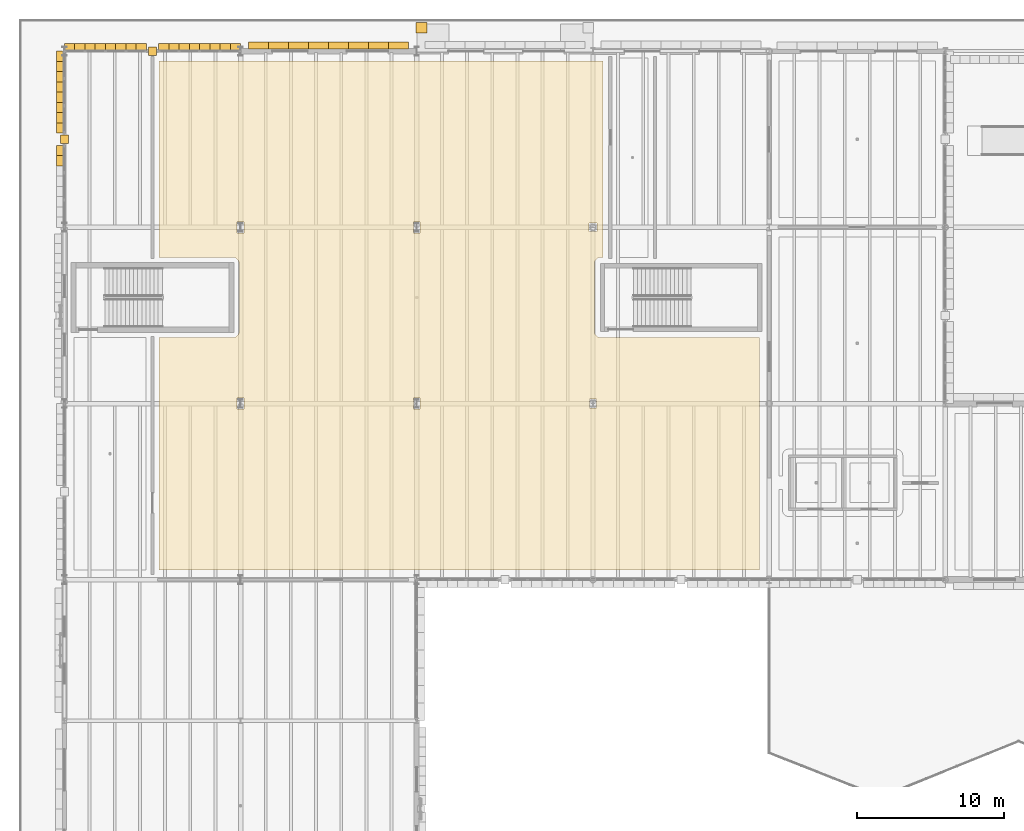
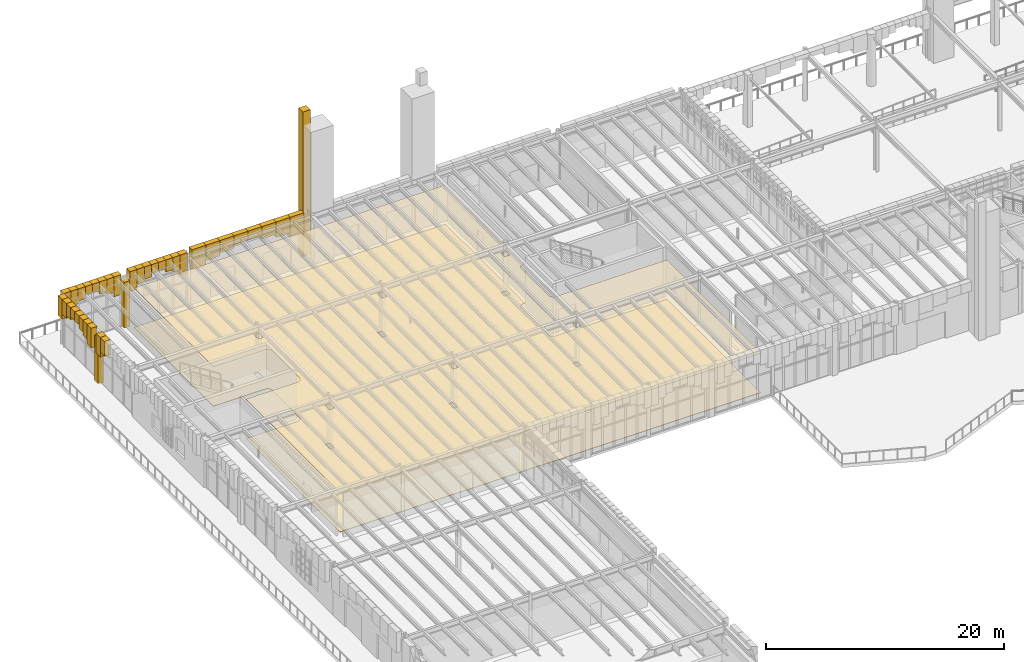
# One storey, part 80 of 103: 39 coverings.
"""IFC4 building model written with IfcOpenShell, lengths in metres."""

from ifc_helpers import new_model, si_unit, direction, frame, origin, place, context, subcontext, project, spatial, polyline, outline, extrude, material, layer, layer_set, type_object, element, save


model = new_model("IFC4")

# Units and contexts
model_context = context("Model", 3, precision=1e-05, world=origin(), true_north=direction((0.0, 1.0)))
body_context = subcontext(model_context, "Body", "Model", "MODEL_VIEW")
ifc_project = project(units=[si_unit("LENGTHUNIT", "METRE"), si_unit("AREAUNIT", "SQUARE_METRE"), si_unit("VOLUMEUNIT", "CUBIC_METRE"), si_unit("PLANEANGLEUNIT", "RADIAN"), si_unit("MASSUNIT", "GRAM", prefix="KILO")], contexts=[model_context])

# Site, building, storey
site_placement = place(None, origin())
site = spatial("IfcSite", under=ifc_project, at=site_placement, CompositionType="ELEMENT")
building_placement = place(site_placement, origin())
building = spatial("IfcBuilding", under=site, at=building_placement, Name="Zlatogorsky Bluff Art Gallery", CompositionType="ELEMENT")
storey_placement = place(building_placement, origin())
storey = spatial("IfcBuildingStorey", under=building, at=storey_placement, Name="L00", CompositionType="ELEMENT", Elevation=0.0)

# Coverings
ifc_material_1 = material(Name="Perforated Gypsum Acoustic Board", Category="gypsum")
ifc_layer_1 = layer(ifc_material_1, 0.0400390625)
ifc_layer_set_1 = layer_set([ifc_layer_1], Name="Acoustic Gallery Ceiling CLG-01")
covering_type_1 = type_object("IfcCoveringType", Name="Acoustic Gallery Ceiling CLG-01", PredefinedType="CEILING", material=ifc_layer_set_1)
covering_1_placement = place(storey_placement, frame((0.0, 0.0, 4.050048828125)))
element("IfcCovering", 1, at=covering_1_placement, inside=storey, type_object=covering_type_1, Name="Grand Glazed Foyer and Winter-Garden Concourse acoustic ceiling", PredefinedType="CEILING", context=body_context, shape_type="SweptSolid", body=[
    extrude(outline(polyline([(36.699951171875, 105.9599609375), (36.549072265625, 105.9599609375), (36.504638671875, 105.957763671875), (36.460693359375, 105.951416015625), (36.459716796875, 105.951171875), (36.450439453125, 105.94921875), (36.449462890625, 105.948974609375), (36.40625, 105.93701171875), (36.3642578125, 105.9208984375), (36.36328125, 105.92041015625), (36.362548828125, 105.919921875), (36.326904296875, 105.902099609375), (36.325927734375, 105.901611328125), (36.293701171875, 105.882080078125), (36.26318359375, 105.859619140625), (36.26171875, 105.8583984375), (36.224609375, 105.8251953125), (36.19140625, 105.7880859375), (36.190185546875, 105.78662109375), (36.16796875, 105.75634765625), (36.148193359375, 105.72412109375), (36.147705078125, 105.72314453125), (36.1298828125, 105.6875), (36.129638671875, 105.6865234375), (36.129150390625, 105.685791015625), (36.113037109375, 105.643798828125), (36.10107421875, 105.6005859375), (36.100830078125, 105.599609375), (36.098876953125, 105.59033203125), (36.0986328125, 105.58935546875), (36.09228515625, 105.54541015625), (36.090087890625, 105.5009765625), (36.090087890625, 100.948974609375), (36.09228515625, 100.90478515625), (36.0986328125, 100.860595703125), (36.098876953125, 100.859619140625), (36.100830078125, 100.850341796875), (36.10107421875, 100.849609375), (36.113037109375, 100.80615234375), (36.129150390625, 100.764404296875), (36.129638671875, 100.763427734375), (36.1298828125, 100.762451171875), (36.147705078125, 100.726806640625), (36.148193359375, 100.725830078125), (36.16796875, 100.693603515625), (36.190185546875, 100.663330078125), (36.19140625, 100.661865234375), (36.224609375, 100.624755859375), (36.26171875, 100.591552734375), (36.26318359375, 100.59033203125), (36.293701171875, 100.568115234375), (36.325927734375, 100.54833984375), (36.326904296875, 100.5478515625), (36.362548828125, 100.530029296875), (36.3642578125, 100.529296875), (36.40625, 100.512939453125), (36.449462890625, 100.501220703125), (36.450439453125, 100.5009765625), (36.459716796875, 100.498779296875), (36.460693359375, 100.498779296875), (36.504638671875, 100.4921875), (36.549072265625, 100.489990234375), (47.330078125, 100.489990234375), (47.330078125, 84.669921875), (6.449951171875, 84.669921875), (6.449951171875, 100.489990234375), (11.450927734375, 100.489990234375), (11.495361328125, 100.4921875), (11.539306640625, 100.498779296875), (11.540283203125, 100.498779296875), (11.549560546875, 100.5009765625), (11.550537109375, 100.501220703125), (11.59375, 100.512939453125), (11.6357421875, 100.529296875), (11.637451171875, 100.530029296875), (11.673095703125, 100.5478515625), (11.674072265625, 100.54833984375), (11.706298828125, 100.568115234375), (11.73681640625, 100.59033203125), (11.73828125, 100.591552734375), (11.775390625, 100.624755859375), (11.80859375, 100.661865234375), (11.809814453125, 100.663330078125), (11.83203125, 100.693603515625), (11.851806640625, 100.725830078125), (11.852294921875, 100.726806640625), (11.8701171875, 100.762451171875), (11.870849609375, 100.764404296875), (11.886962890625, 100.80615234375), (11.89892578125, 100.849609375), (11.899169921875, 100.850341796875), (11.901123046875, 100.859619140625), (11.9013671875, 100.860595703125), (11.90771484375, 100.90478515625), (11.909912109375, 100.948974609375), (11.909912109375, 105.5009765625), (11.90771484375, 105.54541015625), (11.9013671875, 105.58935546875), (11.901123046875, 105.59033203125), (11.899169921875, 105.599609375), (11.89892578125, 105.6005859375), (11.886962890625, 105.643798828125), (11.870849609375, 105.685791015625), (11.8701171875, 105.6875), (11.852294921875, 105.72314453125), (11.851806640625, 105.72412109375), (11.83203125, 105.75634765625), (11.809814453125, 105.78662109375), (11.80859375, 105.7880859375), (11.775390625, 105.8251953125), (11.73828125, 105.8583984375), (11.73681640625, 105.859619140625), (11.706298828125, 105.882080078125), (11.674072265625, 105.901611328125), (11.673095703125, 105.902099609375), (11.637451171875, 105.919921875), (11.63671875, 105.92041015625), (11.6357421875, 105.9208984375), (11.59375, 105.93701171875), (11.550537109375, 105.948974609375), (11.549560546875, 105.94921875), (11.540283203125, 105.951171875), (11.539306640625, 105.951416015625), (11.495361328125, 105.957763671875), (11.450927734375, 105.9599609375), (6.449951171875, 105.9599609375), (6.449951171875, 119.330078125), (36.699951171875, 119.330078125), (36.699951171875, 105.9599609375)]), holes=[polyline([(23.77001953125, 96.3798828125), (23.77001953125, 95.6201171875), (24.22998046875, 95.6201171875), (24.22998046875, 96.3798828125), (23.77001953125, 96.3798828125)]), polyline([(11.77001953125, 96.3798828125), (11.77001953125, 95.6201171875), (12.22998046875, 95.6201171875), (12.22998046875, 96.3798828125), (11.77001953125, 96.3798828125)]), polyline([(11.77001953125, 108.3798828125), (11.77001953125, 107.6201171875), (12.22998046875, 107.6201171875), (12.22998046875, 108.3798828125), (11.77001953125, 108.3798828125)]), polyline([(23.77001953125, 107.6201171875), (24.22998046875, 107.6201171875), (24.22998046875, 108.3798828125), (23.77001953125, 108.3798828125), (23.77001953125, 107.6201171875)]), polyline([(35.77001953125, 96.304931640625), (35.77001953125, 95.695068359375), (36.22998046875, 95.695068359375), (36.22998046875, 96.304931640625), (35.77001953125, 96.304931640625)]), polyline([(35.716796875, 107.716796875), (36.283203125, 107.716796875), (36.283203125, 108.283203125), (35.716796875, 108.283203125), (35.716796875, 107.716796875)])]), origin(), (0.0, 0.0, 1.0), 0.0400390625),
])
ifc_material_2 = material(Name="Honed Red Agra-Tone Quartzitic Sandstone", Category="masonry")
ifc_layer_2 = layer(ifc_material_2, 0.1201171875)
ifc_layer_set_2 = layer_set([ifc_layer_2], Name="Carved Sandstone Cladding CLD-02")
covering_type_2 = type_object("IfcCoveringType", Name="Carved Sandstone Cladding CLD-02", PredefinedType="CLADDING", material=ifc_layer_set_2)
covering_2_placement = place(storey_placement, frame((0.0, 0.0, -0.030029296875)))
element("IfcCovering", 2, at=covering_2_placement, inside=storey, type_object=covering_type_2, Name="Mughal dalan central sandstone pier L00 N 0.10", PredefinedType="CLADDING", context=body_context, shape_type="SweptSolid", body=[
    extrude(outline(polyline([(5.719970703125, 119.719970703125), (6.280029296875, 119.719970703125), (6.280029296875, 120.280029296875), (5.719970703125, 120.280029296875), (5.719970703125, 119.719970703125)])), origin(), (0.0, 0.0, 1.0), 4.68994140625),
])
covering_3_placement = place(storey_placement, frame((0.0, 0.0, 3.327880859375)))
element("IfcCovering", 3, at=covering_3_placement, inside=storey, type_object=covering_type_2, Name="Pointed Mughal arch voussoir spandrel ARCH-CW-L00-N-00-10-A.1", PredefinedType="CLADDING", context=body_context, shape_type="SweptSolid", body=[
    extrude(outline(polyline([(6.419921875, 119.969970703125), (7.117431640625, 119.969970703125), (7.117431640625, 120.5400390625), (6.419921875, 120.5400390625), (6.419921875, 119.969970703125)])), origin(), (0.0, 0.0, 1.0), 2.0322265625),
])
covering_4_placement = place(storey_placement, frame((0.0, 0.0, 3.82958984375)))
element("IfcCovering", 4, at=covering_4_placement, inside=storey, type_object=covering_type_2, Name="Pointed Mughal arch voussoir spandrel ARCH-CW-L00-N-00-10-A.2", PredefinedType="CLADDING", context=body_context, shape_type="SweptSolid", body=[
    extrude(outline(polyline([(7.117431640625, 119.969970703125), (7.81494140625, 119.969970703125), (7.81494140625, 120.5400390625), (7.117431640625, 120.5400390625), (7.117431640625, 119.969970703125)])), origin(), (0.0, 0.0, 1.0), 1.530517578125),
])
covering_5_placement = place(storey_placement, frame((0.0, 0.0, 4.1064453125)))
element("IfcCovering", 5, at=covering_5_placement, inside=storey, type_object=covering_type_2, Name="Pointed Mughal arch voussoir spandrel ARCH-CW-L00-N-00-10-A.3", PredefinedType="CLADDING", context=body_context, shape_type="SweptSolid", body=[
    extrude(outline(polyline([(7.81494140625, 119.969970703125), (8.512451171875, 119.969970703125), (8.512451171875, 120.5400390625), (7.81494140625, 120.5400390625), (7.81494140625, 119.969970703125)])), origin(), (0.0, 0.0, 1.0), 1.253662109375),
])
covering_6_placement = place(storey_placement, frame((0.0, 0.0, 4.45458984375)))
element("IfcCovering", 6, at=covering_6_placement, inside=storey, type_object=covering_type_2, Name="Pointed Mughal arch voussoir spandrel ARCH-CW-L00-N-00-10-A.4", PredefinedType="CLADDING", context=body_context, shape_type="SweptSolid", body=[
    extrude(outline(polyline([(8.512451171875, 119.969970703125), (9.2099609375, 119.969970703125), (9.2099609375, 120.5400390625), (8.512451171875, 120.5400390625), (8.512451171875, 119.969970703125)])), origin(), (0.0, 0.0, 1.0), 0.905517578125),
])
covering_7_placement = place(storey_placement, frame((0.0, 0.0, 4.45458984375)))
element("IfcCovering", 7, at=covering_7_placement, inside=storey, type_object=covering_type_2, Name="Pointed Mughal arch voussoir spandrel ARCH-CW-L00-N-00-10-A.5", PredefinedType="CLADDING", context=body_context, shape_type="SweptSolid", body=[
    extrude(outline(polyline([(9.2099609375, 119.969970703125), (9.907470703125, 119.969970703125), (9.907470703125, 120.5400390625), (9.2099609375, 120.5400390625), (9.2099609375, 119.969970703125)])), origin(), (0.0, 0.0, 1.0), 0.905517578125),
])
covering_8_placement = place(storey_placement, frame((0.0, 0.0, 4.1064453125)))
element("IfcCovering", 8, at=covering_8_placement, inside=storey, type_object=covering_type_2, Name="Pointed Mughal arch voussoir spandrel ARCH-CW-L00-N-00-10-A.6", PredefinedType="CLADDING", context=body_context, shape_type="SweptSolid", body=[
    extrude(outline(polyline([(9.907470703125, 119.969970703125), (10.60498046875, 119.969970703125), (10.60498046875, 120.5400390625), (9.907470703125, 120.5400390625), (9.907470703125, 119.969970703125)])), origin(), (0.0, 0.0, 1.0), 1.253662109375),
])
covering_9_placement = place(storey_placement, frame((0.0, 0.0, 3.82958984375)))
element("IfcCovering", 9, at=covering_9_placement, inside=storey, type_object=covering_type_2, Name="Pointed Mughal arch voussoir spandrel ARCH-CW-L00-N-00-10-A.7", PredefinedType="CLADDING", context=body_context, shape_type="SweptSolid", body=[
    extrude(outline(polyline([(10.60498046875, 119.969970703125), (11.302490234375, 119.969970703125), (11.302490234375, 120.5400390625), (10.60498046875, 120.5400390625), (10.60498046875, 119.969970703125)])), origin(), (0.0, 0.0, 1.0), 1.530517578125),
])
covering_10_placement = place(storey_placement, frame((0.0, 0.0, 3.327880859375)))
element("IfcCovering", 10, at=covering_10_placement, inside=storey, type_object=covering_type_2, Name="Pointed Mughal arch voussoir spandrel ARCH-CW-L00-N-00-10-A.8", PredefinedType="CLADDING", context=body_context, shape_type="SweptSolid", body=[
    extrude(outline(polyline([(11.302490234375, 119.969970703125), (12.0, 119.969970703125), (12.0, 120.5400390625), (11.302490234375, 120.5400390625), (11.302490234375, 119.969970703125)])), origin(), (0.0, 0.0, 1.0), 2.0322265625),
])
covering_11_placement = place(storey_placement, frame((0.0, 0.0, 3.327880859375)))
element("IfcCovering", 11, at=covering_11_placement, inside=storey, type_object=covering_type_2, Name="Pointed Mughal arch voussoir spandrel ARCH-CW-L00-N-00-10-B.1", PredefinedType="CLADDING", context=body_context, shape_type="SweptSolid", body=[
    extrude(outline(polyline([(0.0, 119.969970703125), (0.697509765625, 119.969970703125), (0.697509765625, 120.5400390625), (0.0, 120.5400390625), (0.0, 119.969970703125)])), origin(), (0.0, 0.0, 1.0), 2.0322265625),
])
covering_12_placement = place(storey_placement, frame((0.0, 0.0, 3.82958984375)))
element("IfcCovering", 12, at=covering_12_placement, inside=storey, type_object=covering_type_2, Name="Pointed Mughal arch voussoir spandrel ARCH-CW-L00-N-00-10-B.2", PredefinedType="CLADDING", context=body_context, shape_type="SweptSolid", body=[
    extrude(outline(polyline([(0.697509765625, 119.969970703125), (1.39501953125, 119.969970703125), (1.39501953125, 120.5400390625), (0.697509765625, 120.5400390625), (0.697509765625, 119.969970703125)])), origin(), (0.0, 0.0, 1.0), 1.530517578125),
])
covering_13_placement = place(storey_placement, frame((0.0, 0.0, 4.1064453125)))
element("IfcCovering", 13, at=covering_13_placement, inside=storey, type_object=covering_type_2, Name="Pointed Mughal arch voussoir spandrel ARCH-CW-L00-N-00-10-B.3", PredefinedType="CLADDING", context=body_context, shape_type="SweptSolid", body=[
    extrude(outline(polyline([(1.39501953125, 119.969970703125), (2.092529296875, 119.969970703125), (2.092529296875, 120.5400390625), (1.39501953125, 120.5400390625), (1.39501953125, 119.969970703125)])), origin(), (0.0, 0.0, 1.0), 1.253662109375),
])
covering_14_placement = place(storey_placement, frame((0.0, 0.0, 4.45458984375)))
element("IfcCovering", 14, at=covering_14_placement, inside=storey, type_object=covering_type_2, Name="Pointed Mughal arch voussoir spandrel ARCH-CW-L00-N-00-10-B.4", PredefinedType="CLADDING", context=body_context, shape_type="SweptSolid", body=[
    extrude(outline(polyline([(2.092529296875, 119.969970703125), (2.7900390625, 119.969970703125), (2.7900390625, 120.5400390625), (2.092529296875, 120.5400390625), (2.092529296875, 119.969970703125)])), origin(), (0.0, 0.0, 1.0), 0.905517578125),
])
covering_15_placement = place(storey_placement, frame((0.0, 0.0, 4.45458984375)))
element("IfcCovering", 15, at=covering_15_placement, inside=storey, type_object=covering_type_2, Name="Pointed Mughal arch voussoir spandrel ARCH-CW-L00-N-00-10-B.5", PredefinedType="CLADDING", context=body_context, shape_type="SweptSolid", body=[
    extrude(outline(polyline([(2.7900390625, 119.969970703125), (3.487548828125, 119.969970703125), (3.487548828125, 120.5400390625), (2.7900390625, 120.5400390625), (2.7900390625, 119.969970703125)])), origin(), (0.0, 0.0, 1.0), 0.905517578125),
])
covering_16_placement = place(storey_placement, frame((0.0, 0.0, 4.1064453125)))
element("IfcCovering", 16, at=covering_16_placement, inside=storey, type_object=covering_type_2, Name="Pointed Mughal arch voussoir spandrel ARCH-CW-L00-N-00-10-B.6", PredefinedType="CLADDING", context=body_context, shape_type="SweptSolid", body=[
    extrude(outline(polyline([(3.487548828125, 119.969970703125), (4.18505859375, 119.969970703125), (4.18505859375, 120.5400390625), (3.487548828125, 120.5400390625), (3.487548828125, 119.969970703125)])), origin(), (0.0, 0.0, 1.0), 1.253662109375),
])
covering_17_placement = place(storey_placement, frame((0.0, 0.0, 3.82958984375)))
element("IfcCovering", 17, at=covering_17_placement, inside=storey, type_object=covering_type_2, Name="Pointed Mughal arch voussoir spandrel ARCH-CW-L00-N-00-10-B.7", PredefinedType="CLADDING", context=body_context, shape_type="SweptSolid", body=[
    extrude(outline(polyline([(4.18505859375, 119.969970703125), (4.882568359375, 119.969970703125), (4.882568359375, 120.5400390625), (4.18505859375, 120.5400390625), (4.18505859375, 119.969970703125)])), origin(), (0.0, 0.0, 1.0), 1.530517578125),
])
covering_18_placement = place(storey_placement, frame((0.0, 0.0, 3.327880859375)))
element("IfcCovering", 18, at=covering_18_placement, inside=storey, type_object=covering_type_2, Name="Pointed Mughal arch voussoir spandrel ARCH-CW-L00-N-00-10-B.8", PredefinedType="CLADDING", context=body_context, shape_type="SweptSolid", body=[
    extrude(outline(polyline([(4.882568359375, 119.969970703125), (5.580078125, 119.969970703125), (5.580078125, 120.5400390625), (4.882568359375, 120.5400390625), (4.882568359375, 119.969970703125)])), origin(), (0.0, 0.0, 1.0), 2.0322265625),
])
covering_19_placement = place(storey_placement, frame((0.0, 0.0, -0.030029296875)))
element("IfcCovering", 19, at=covering_19_placement, inside=storey, type_object=covering_type_2, Name="Mughal dalan central sandstone pier L00 W 0.10", PredefinedType="CLADDING", context=body_context, shape_type="SweptSolid", body=[
    extrude(outline(polyline([(-0.280029296875, 113.719970703125), (0.280029296875, 113.719970703125), (0.280029296875, 114.280029296875), (-0.280029296875, 114.280029296875), (-0.280029296875, 113.719970703125)])), origin(), (0.0, 0.0, 1.0), 4.68994140625),
])
covering_20_placement = place(storey_placement, frame((0.0, 0.0, 3.327880859375)))
element("IfcCovering", 20, at=covering_20_placement, inside=storey, type_object=covering_type_2, Name="Pointed Mughal arch voussoir spandrel ARCH-CW-L00-W-00-10-A.1", PredefinedType="CLADDING", context=body_context, shape_type="SweptSolid", body=[
    extrude(outline(polyline([(-0.5400390625, 114.419921875), (-0.5400390625, 115.117431640625), (0.030029296875, 115.117431640625), (0.030029296875, 114.419921875), (-0.5400390625, 114.419921875)])), origin(), (0.0, 0.0, 1.0), 2.0322265625),
])
covering_21_placement = place(storey_placement, frame((0.0, 0.0, 3.82958984375)))
element("IfcCovering", 21, at=covering_21_placement, inside=storey, type_object=covering_type_2, Name="Pointed Mughal arch voussoir spandrel ARCH-CW-L00-W-00-10-A.2", PredefinedType="CLADDING", context=body_context, shape_type="SweptSolid", body=[
    extrude(outline(polyline([(-0.5400390625, 115.117431640625), (-0.5400390625, 115.81494140625), (0.030029296875, 115.81494140625), (0.030029296875, 115.117431640625), (-0.5400390625, 115.117431640625)])), origin(), (0.0, 0.0, 1.0), 1.530517578125),
])
covering_22_placement = place(storey_placement, frame((0.0, 0.0, 4.1064453125)))
element("IfcCovering", 22, at=covering_22_placement, inside=storey, type_object=covering_type_2, Name="Pointed Mughal arch voussoir spandrel ARCH-CW-L00-W-00-10-A.3", PredefinedType="CLADDING", context=body_context, shape_type="SweptSolid", body=[
    extrude(outline(polyline([(-0.5400390625, 115.81494140625), (-0.5400390625, 116.512451171875), (0.030029296875, 116.512451171875), (0.030029296875, 115.81494140625), (-0.5400390625, 115.81494140625)])), origin(), (0.0, 0.0, 1.0), 1.253662109375),
])
covering_23_placement = place(storey_placement, frame((0.0, 0.0, 4.45458984375)))
element("IfcCovering", 23, at=covering_23_placement, inside=storey, type_object=covering_type_2, Name="Pointed Mughal arch voussoir spandrel ARCH-CW-L00-W-00-10-A.4", PredefinedType="CLADDING", context=body_context, shape_type="SweptSolid", body=[
    extrude(outline(polyline([(-0.5400390625, 116.512451171875), (-0.5400390625, 117.2099609375), (0.030029296875, 117.2099609375), (0.030029296875, 116.512451171875), (-0.5400390625, 116.512451171875)])), origin(), (0.0, 0.0, 1.0), 0.905517578125),
])
covering_24_placement = place(storey_placement, frame((0.0, 0.0, 4.45458984375)))
element("IfcCovering", 24, at=covering_24_placement, inside=storey, type_object=covering_type_2, Name="Pointed Mughal arch voussoir spandrel ARCH-CW-L00-W-00-10-A.5", PredefinedType="CLADDING", context=body_context, shape_type="SweptSolid", body=[
    extrude(outline(polyline([(-0.5400390625, 117.2099609375), (-0.5400390625, 117.907470703125), (0.030029296875, 117.907470703125), (0.030029296875, 117.2099609375), (-0.5400390625, 117.2099609375)])), origin(), (0.0, 0.0, 1.0), 0.905517578125),
])
covering_25_placement = place(storey_placement, frame((0.0, 0.0, 4.1064453125)))
element("IfcCovering", 25, at=covering_25_placement, inside=storey, type_object=covering_type_2, Name="Pointed Mughal arch voussoir spandrel ARCH-CW-L00-W-00-10-A.6", PredefinedType="CLADDING", context=body_context, shape_type="SweptSolid", body=[
    extrude(outline(polyline([(-0.5400390625, 117.907470703125), (-0.5400390625, 118.60498046875), (0.030029296875, 118.60498046875), (0.030029296875, 117.907470703125), (-0.5400390625, 117.907470703125)])), origin(), (0.0, 0.0, 1.0), 1.253662109375),
])
covering_26_placement = place(storey_placement, frame((0.0, 0.0, 3.82958984375)))
element("IfcCovering", 26, at=covering_26_placement, inside=storey, type_object=covering_type_2, Name="Pointed Mughal arch voussoir spandrel ARCH-CW-L00-W-00-10-A.7", PredefinedType="CLADDING", context=body_context, shape_type="SweptSolid", body=[
    extrude(outline(polyline([(-0.5400390625, 118.60498046875), (-0.5400390625, 119.302490234375), (0.030029296875, 119.302490234375), (0.030029296875, 118.60498046875), (-0.5400390625, 118.60498046875)])), origin(), (0.0, 0.0, 1.0), 1.530517578125),
])
covering_27_placement = place(storey_placement, frame((0.0, 0.0, 3.327880859375)))
element("IfcCovering", 27, at=covering_27_placement, inside=storey, type_object=covering_type_2, Name="Pointed Mughal arch voussoir spandrel ARCH-CW-L00-W-00-10-A.8", PredefinedType="CLADDING", context=body_context, shape_type="SweptSolid", body=[
    extrude(outline(polyline([(-0.5400390625, 119.302490234375), (-0.5400390625, 120.0), (0.030029296875, 120.0), (0.030029296875, 119.302490234375), (-0.5400390625, 119.302490234375)])), origin(), (0.0, 0.0, 1.0), 2.0322265625),
])
covering_28_placement = place(storey_placement, frame((0.0, 0.0, 3.82958984375)))
element("IfcCovering", 28, at=covering_28_placement, inside=storey, type_object=covering_type_2, Name="Pointed Mughal arch voussoir spandrel ARCH-CW-L00-W-00-10-B.7", PredefinedType="CLADDING", context=body_context, shape_type="SweptSolid", body=[
    extrude(outline(polyline([(-0.5400390625, 112.18505859375), (-0.5400390625, 112.882568359375), (0.030029296875, 112.882568359375), (0.030029296875, 112.18505859375), (-0.5400390625, 112.18505859375)])), origin(), (0.0, 0.0, 1.0), 1.530517578125),
])
covering_29_placement = place(storey_placement, frame((0.0, 0.0, 3.327880859375)))
element("IfcCovering", 29, at=covering_29_placement, inside=storey, type_object=covering_type_2, Name="Pointed Mughal arch voussoir spandrel ARCH-CW-L00-W-00-10-B.8", PredefinedType="CLADDING", context=body_context, shape_type="SweptSolid", body=[
    extrude(outline(polyline([(-0.5400390625, 112.882568359375), (-0.5400390625, 113.580078125), (0.030029296875, 113.580078125), (0.030029296875, 112.882568359375), (-0.5400390625, 112.882568359375)])), origin(), (0.0, 0.0, 1.0), 2.0322265625),
])
covering_30_placement = place(storey_placement, frame((0.0, 0.0, 3.25244140625)))
element("IfcCovering", 30, at=covering_30_placement, inside=storey, type_object=covering_type_2, Name="Pointed Mughal arch voussoir spandrel WARCH-L00-N-01-10-A.1", PredefinedType="CLADDING", context=body_context, shape_type="SweptSolid", body=[
    extrude(outline(polyline([(12.550048828125, 120.14990234375), (13.91259765625, 120.14990234375), (13.91259765625, 120.639892578125), (12.550048828125, 120.639892578125), (12.550048828125, 120.14990234375)])), origin(), (0.0, 0.0, 1.0), 2.107666015625),
])
covering_31_placement = place(storey_placement, frame((0.0, 0.0, 3.78369140625)))
element("IfcCovering", 31, at=covering_31_placement, inside=storey, type_object=covering_type_2, Name="Pointed Mughal arch voussoir spandrel WARCH-L00-N-01-10-A.2", PredefinedType="CLADDING", context=body_context, shape_type="SweptSolid", body=[
    extrude(outline(polyline([(13.91259765625, 120.14990234375), (15.27490234375, 120.14990234375), (15.27490234375, 120.639892578125), (13.91259765625, 120.639892578125), (13.91259765625, 120.14990234375)])), origin(), (0.0, 0.0, 1.0), 1.576416015625),
])
covering_32_placement = place(storey_placement, frame((0.0, 0.0, 4.07666015625)))
element("IfcCovering", 32, at=covering_32_placement, inside=storey, type_object=covering_type_2, Name="Pointed Mughal arch voussoir spandrel WARCH-L00-N-01-10-A.3", PredefinedType="CLADDING", context=body_context, shape_type="SweptSolid", body=[
    extrude(outline(polyline([(15.27490234375, 120.14990234375), (16.637451171875, 120.14990234375), (16.637451171875, 120.639892578125), (15.27490234375, 120.639892578125), (15.27490234375, 120.14990234375)])), origin(), (0.0, 0.0, 1.0), 1.283447265625),
])
covering_33_placement = place(storey_placement, frame((0.0, 0.0, 4.4453125)))
element("IfcCovering", 33, at=covering_33_placement, inside=storey, type_object=covering_type_2, Name="Pointed Mughal arch voussoir spandrel WARCH-L00-N-01-10-A.4", PredefinedType="CLADDING", context=body_context, shape_type="SweptSolid", body=[
    extrude(outline(polyline([(16.637451171875, 120.14990234375), (18.0, 120.14990234375), (18.0, 120.639892578125), (16.637451171875, 120.639892578125), (16.637451171875, 120.14990234375)])), origin(), (0.0, 0.0, 1.0), 0.914794921875),
])
covering_34_placement = place(storey_placement, frame((0.0, 0.0, 4.4453125)))
element("IfcCovering", 34, at=covering_34_placement, inside=storey, type_object=covering_type_2, Name="Pointed Mughal arch voussoir spandrel WARCH-L00-N-01-10-A.5", PredefinedType="CLADDING", context=body_context, shape_type="SweptSolid", body=[
    extrude(outline(polyline([(18.0, 120.14990234375), (19.362548828125, 120.14990234375), (19.362548828125, 120.639892578125), (18.0, 120.639892578125), (18.0, 120.14990234375)])), origin(), (0.0, 0.0, 1.0), 0.914794921875),
])
covering_35_placement = place(storey_placement, frame((0.0, 0.0, 4.07666015625)))
element("IfcCovering", 35, at=covering_35_placement, inside=storey, type_object=covering_type_2, Name="Pointed Mughal arch voussoir spandrel WARCH-L00-N-01-10-A.6", PredefinedType="CLADDING", context=body_context, shape_type="SweptSolid", body=[
    extrude(outline(polyline([(19.362548828125, 120.14990234375), (20.72509765625, 120.14990234375), (20.72509765625, 120.639892578125), (19.362548828125, 120.639892578125), (19.362548828125, 120.14990234375)])), origin(), (0.0, 0.0, 1.0), 1.283447265625),
])
covering_36_placement = place(storey_placement, frame((0.0, 0.0, 3.78369140625)))
element("IfcCovering", 36, at=covering_36_placement, inside=storey, type_object=covering_type_2, Name="Pointed Mughal arch voussoir spandrel WARCH-L00-N-01-10-A.7", PredefinedType="CLADDING", context=body_context, shape_type="SweptSolid", body=[
    extrude(outline(polyline([(20.72509765625, 120.14990234375), (22.08740234375, 120.14990234375), (22.08740234375, 120.639892578125), (20.72509765625, 120.639892578125), (20.72509765625, 120.14990234375)])), origin(), (0.0, 0.0, 1.0), 1.576416015625),
])
covering_37_placement = place(storey_placement, frame((0.0, 0.0, 3.25244140625)))
element("IfcCovering", 37, at=covering_37_placement, inside=storey, type_object=covering_type_2, Name="Pointed Mughal arch voussoir spandrel WARCH-L00-N-01-10-A.8", PredefinedType="CLADDING", context=body_context, shape_type="SweptSolid", body=[
    extrude(outline(polyline([(22.08740234375, 120.14990234375), (23.449951171875, 120.14990234375), (23.449951171875, 120.639892578125), (22.08740234375, 120.639892578125), (22.08740234375, 120.14990234375)])), origin(), (0.0, 0.0, 1.0), 2.107666015625),
])
ifc_material_3 = material(Name="Polished Ural Marble Terrazzo", Category="masonry")
ifc_layer_3 = layer(ifc_material_3, 0.050048828125)
ifc_layer_set_3 = layer_set([ifc_layer_3], Name="Terrazzo Gallery Flooring FLR-01")
covering_type_3 = type_object("IfcCoveringType", Name="Terrazzo Gallery Flooring FLR-01", PredefinedType="FLOORING", material=ifc_layer_set_3)
covering_38_placement = place(storey_placement, origin())
element("IfcCovering", 38, at=covering_38_placement, inside=storey, type_object=covering_type_3, Name="Grand Glazed Foyer and Winter-Garden Concourse terrazzo floor finish", PredefinedType="FLOORING", context=body_context, shape_type="SweptSolid", body=[
    extrude(outline(polyline([(36.699951171875, 105.9599609375), (36.549072265625, 105.9599609375), (36.504638671875, 105.957763671875), (36.460693359375, 105.951416015625), (36.459716796875, 105.951171875), (36.450439453125, 105.94921875), (36.449462890625, 105.948974609375), (36.40625, 105.93701171875), (36.3642578125, 105.9208984375), (36.36328125, 105.92041015625), (36.362548828125, 105.919921875), (36.326904296875, 105.902099609375), (36.325927734375, 105.901611328125), (36.293701171875, 105.882080078125), (36.26318359375, 105.859619140625), (36.26171875, 105.8583984375), (36.224609375, 105.8251953125), (36.19140625, 105.7880859375), (36.190185546875, 105.78662109375), (36.16796875, 105.75634765625), (36.148193359375, 105.72412109375), (36.147705078125, 105.72314453125), (36.1298828125, 105.6875), (36.129638671875, 105.6865234375), (36.129150390625, 105.685791015625), (36.113037109375, 105.643798828125), (36.10107421875, 105.6005859375), (36.100830078125, 105.599609375), (36.098876953125, 105.59033203125), (36.0986328125, 105.58935546875), (36.09228515625, 105.54541015625), (36.090087890625, 105.5009765625), (36.090087890625, 100.948974609375), (36.09228515625, 100.90478515625), (36.0986328125, 100.860595703125), (36.098876953125, 100.859619140625), (36.100830078125, 100.850341796875), (36.10107421875, 100.849609375), (36.113037109375, 100.80615234375), (36.129150390625, 100.764404296875), (36.129638671875, 100.763427734375), (36.1298828125, 100.762451171875), (36.147705078125, 100.726806640625), (36.148193359375, 100.725830078125), (36.16796875, 100.693603515625), (36.190185546875, 100.663330078125), (36.19140625, 100.661865234375), (36.224609375, 100.624755859375), (36.26171875, 100.591552734375), (36.26318359375, 100.59033203125), (36.293701171875, 100.568115234375), (36.325927734375, 100.54833984375), (36.326904296875, 100.5478515625), (36.362548828125, 100.530029296875), (36.3642578125, 100.529296875), (36.40625, 100.512939453125), (36.449462890625, 100.501220703125), (36.450439453125, 100.5009765625), (36.459716796875, 100.498779296875), (36.460693359375, 100.498779296875), (36.504638671875, 100.4921875), (36.549072265625, 100.489990234375), (47.330078125, 100.489990234375), (47.330078125, 84.669921875), (6.449951171875, 84.669921875), (6.449951171875, 100.489990234375), (11.450927734375, 100.489990234375), (11.495361328125, 100.4921875), (11.539306640625, 100.498779296875), (11.540283203125, 100.498779296875), (11.549560546875, 100.5009765625), (11.550537109375, 100.501220703125), (11.59375, 100.512939453125), (11.6357421875, 100.529296875), (11.637451171875, 100.530029296875), (11.673095703125, 100.5478515625), (11.674072265625, 100.54833984375), (11.706298828125, 100.568115234375), (11.73681640625, 100.59033203125), (11.73828125, 100.591552734375), (11.775390625, 100.624755859375), (11.80859375, 100.661865234375), (11.809814453125, 100.663330078125), (11.83203125, 100.693603515625), (11.851806640625, 100.725830078125), (11.852294921875, 100.726806640625), (11.8701171875, 100.762451171875), (11.870849609375, 100.764404296875), (11.886962890625, 100.80615234375), (11.89892578125, 100.849609375), (11.899169921875, 100.850341796875), (11.901123046875, 100.859619140625), (11.9013671875, 100.860595703125), (11.90771484375, 100.90478515625), (11.909912109375, 100.948974609375), (11.909912109375, 105.5009765625), (11.90771484375, 105.54541015625), (11.9013671875, 105.58935546875), (11.901123046875, 105.59033203125), (11.899169921875, 105.599609375), (11.89892578125, 105.6005859375), (11.886962890625, 105.643798828125), (11.870849609375, 105.685791015625), (11.8701171875, 105.6875), (11.852294921875, 105.72314453125), (11.851806640625, 105.72412109375), (11.83203125, 105.75634765625), (11.809814453125, 105.78662109375), (11.80859375, 105.7880859375), (11.775390625, 105.8251953125), (11.73828125, 105.8583984375), (11.73681640625, 105.859619140625), (11.706298828125, 105.882080078125), (11.674072265625, 105.901611328125), (11.673095703125, 105.902099609375), (11.637451171875, 105.919921875), (11.63671875, 105.92041015625), (11.6357421875, 105.9208984375), (11.59375, 105.93701171875), (11.550537109375, 105.948974609375), (11.549560546875, 105.94921875), (11.540283203125, 105.951171875), (11.539306640625, 105.951416015625), (11.495361328125, 105.957763671875), (11.450927734375, 105.9599609375), (6.449951171875, 105.9599609375), (6.449951171875, 119.330078125), (36.699951171875, 119.330078125), (36.699951171875, 105.9599609375)]), holes=[polyline([(23.77001953125, 96.3798828125), (23.77001953125, 95.6201171875), (24.22998046875, 95.6201171875), (24.22998046875, 96.3798828125), (23.77001953125, 96.3798828125)]), polyline([(11.77001953125, 96.3798828125), (11.77001953125, 95.6201171875), (12.22998046875, 95.6201171875), (12.22998046875, 96.3798828125), (11.77001953125, 96.3798828125)]), polyline([(11.77001953125, 108.3798828125), (11.77001953125, 107.6201171875), (12.22998046875, 107.6201171875), (12.22998046875, 108.3798828125), (11.77001953125, 108.3798828125)]), polyline([(23.77001953125, 107.6201171875), (24.22998046875, 107.6201171875), (24.22998046875, 108.3798828125), (23.77001953125, 108.3798828125), (23.77001953125, 107.6201171875)]), polyline([(35.77001953125, 96.304931640625), (35.77001953125, 95.695068359375), (36.22998046875, 95.695068359375), (36.22998046875, 96.304931640625), (35.77001953125, 96.304931640625)]), polyline([(35.716796875, 107.716796875), (36.283203125, 107.716796875), (36.283203125, 108.283203125), (35.716796875, 108.283203125), (35.716796875, 107.716796875)])]), origin(), (0.0, 0.0, 1.0), 0.050048828125),
])
ifc_material_4 = material(Name="Patinated Architectural Bronze Fin", Category="metal")
ifc_layer_4 = layer(ifc_material_4, 0.110107421875)
ifc_layer_set_4 = layer_set([ifc_layer_4], Name="Vertical Gallery Fin FIN-01")
covering_type_4 = type_object("IfcCoveringType", Name="Vertical Gallery Fin FIN-01", PredefinedType="CLADDING", material=ifc_layer_set_4)
covering_39_placement = place(storey_placement, origin())
element("IfcCovering", 39, at=covering_39_placement, inside=storey, type_object=covering_type_4, Name="Pishtaq corner guldasta turret PISHTAQ-N-MAIN.L", PredefinedType="CLADDING", context=body_context, shape_type="SweptSolid", body=[
    extrude(outline(polyline([(23.9599609375, 121.239990234375), (24.679931640625, 121.239990234375), (24.679931640625, 121.9599609375), (23.9599609375, 121.9599609375), (23.9599609375, 121.239990234375)])), origin(), (0.0, 0.0, 1.0), 14.85009765625),
])

save(model, "model.ifc")
